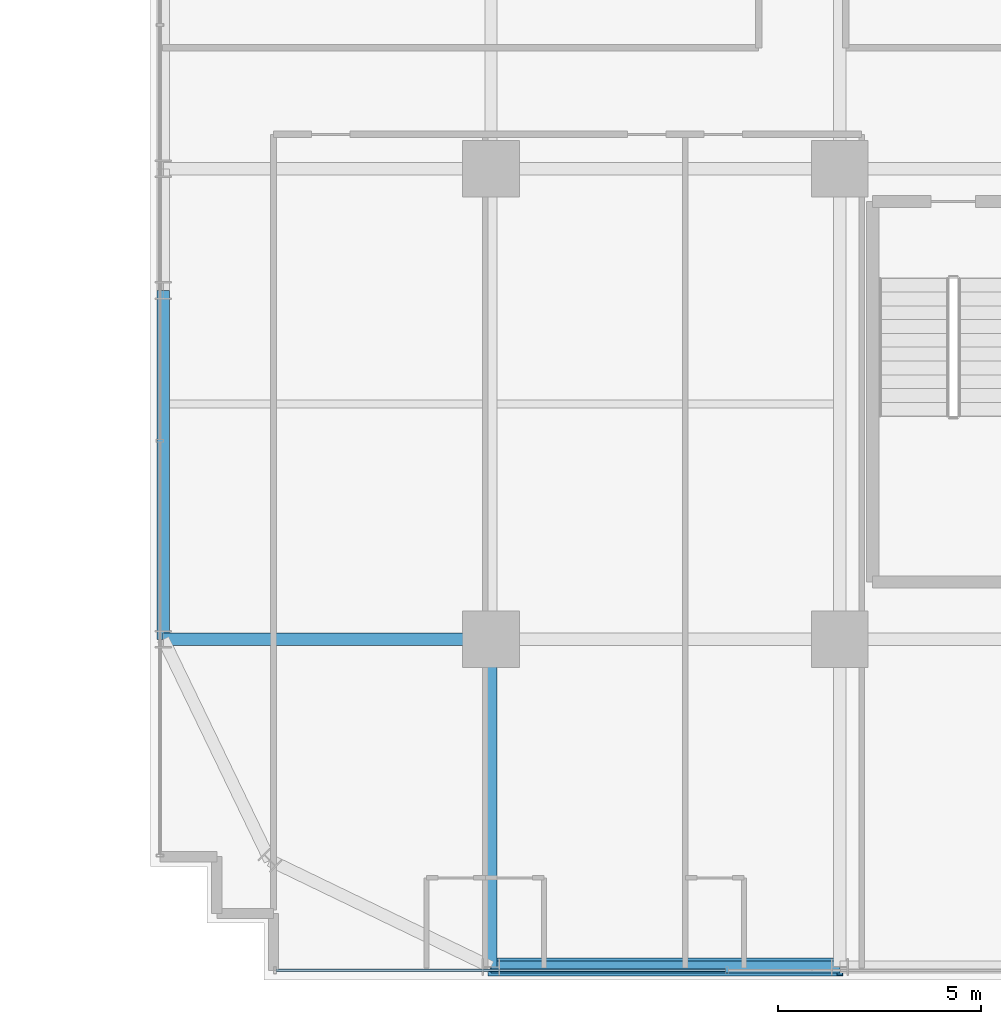
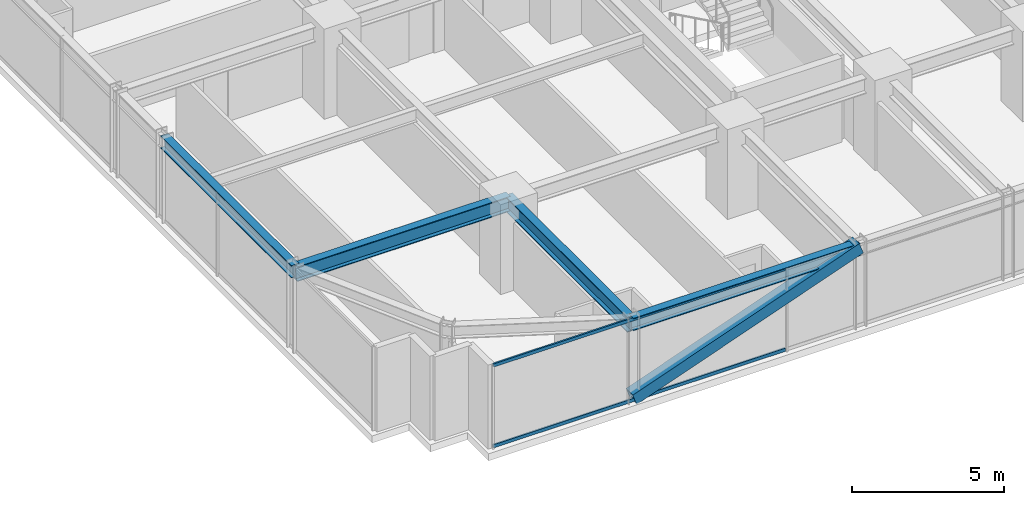
# One storey, part 4 of 36: 4 beams, 3 members, 1 element without a shape of its own.
"""IFC4 building model written with IfcOpenShell, lengths in metres."""

from ifc_helpers import new_model, si_unit, direction, frame, origin, origin_2d, place, context, subcontext, project, spatial, hollow_rectangle, i_section, extrude, source, transform, mapped, material, material_profile, profile_set, type_object, element, aggregate, save


model = new_model("IFC4")

# Units and contexts
model_context = context("Model", 3, precision=1e-05, world=origin(), true_north=direction((0.0, 1.0)))
body_context = subcontext(model_context, "Body", "Model", "MODEL_VIEW")
ifc_project = project(units=[si_unit("LENGTHUNIT", "METRE"), si_unit("AREAUNIT", "SQUARE_METRE"), si_unit("VOLUMEUNIT", "CUBIC_METRE"), si_unit("PLANEANGLEUNIT", "RADIAN"), si_unit("MASSUNIT", "GRAM", prefix="KILO")], contexts=[model_context])

# Site, building, storey
site_placement = place(None, origin())
site = spatial("IfcSite", under=ifc_project, at=site_placement, CompositionType="ELEMENT")
building_placement = place(site_placement, origin())
building = spatial("IfcBuilding", under=site, at=building_placement, Name="Nahalor Promenade Grand Hotel", CompositionType="ELEMENT")
storey_placement = place(building_placement, frame((0.0, 0.0, 76.199951171875)))
storey = spatial("IfcBuildingStorey", under=building, at=storey_placement, Name="L18", CompositionType="ELEMENT", Elevation=76.199951171875)

# Beams
ifc_material_1 = material(Name="Steel S355JR", Category="steel")
ifc_material_profile_1 = material_profile(ifc_material_1, i_section(OverallWidth=0.3, OverallDepth=0.5, WebThickness=0.0145, FlangeThickness=0.028, at=origin_2d()), Name="HEB 500")
ifc_profile_set_1 = profile_set([ifc_material_profile_1], Name="Steel S355JR")
beam_type_1 = type_object("IfcBeamType", Name="Beam-Spandrel-HEB500", PredefinedType="SPANDREL", material=ifc_profile_set_1)
shared_shape_1 = source(origin(), body_context, "Body", "SweptSolid", [
    extrude(i_section(OverallWidth=0.3, OverallDepth=0.5, WebThickness=0.0145, FlangeThickness=0.028, at=origin_2d()), origin(), (0.0, 0.0, 1.0), 8.60009765625),
])
for number, where, z_axis, x_axis, name in (
    (1, (-17.0, -25.080078125, 3.1201171875), (1.0, 0.0, 0.0), (0.0, 1.0, 0.0), "BM-L18-SP-S-0"),
    (2, (-25.080078125, -17.0, 3.1201171875), (0.0, 1.0, 0.0), (-1.0, 0.0, 0.0), "BM-L18-SP-W-0"),
):
    element("IfcBeam", number, at=place(storey_placement, frame(where, z_axis=z_axis, x_axis=x_axis)), inside=storey, type_object=beam_type_1, Name=name, PredefinedType="SPANDREL", context=body_context, shape_type="MappedRepresentation", body=[
        mapped(shared_shape_1, transform((0.0, 0.0, 0.0), scale=1.0)),
    ])
ifc_material_profile_2 = material_profile(ifc_material_1, i_section(OverallWidth=0.3, OverallDepth=0.6, WebThickness=0.0155, FlangeThickness=0.03, at=origin_2d()), Name="HEB 600")
ifc_profile_set_2 = profile_set([ifc_material_profile_2], Name="Steel S355JR")
beam_type_2 = type_object("IfcBeamType", Name="Beam-Girder-HEB600", PredefinedType="BEAM", material=ifc_profile_set_2)
shared_shape_2 = source(origin(), body_context, "Body", "SweptSolid", [
    extrude(i_section(OverallWidth=0.3, OverallDepth=0.6, WebThickness=0.0155, FlangeThickness=0.03, at=origin_2d()), origin(), (0.0, 0.0, 1.0), 8.080078125),
])
for number, where, z_axis, x_axis, name in (
    (3, (-25.080078125, -17.0, 3.070068359375), (1.0, 0.0, 0.0), (0.0, 1.0, 0.0), "BM-L18-GX-0-0"),
    (4, (-17.0, -25.080078125, 3.070068359375), (0.0, 1.0, 0.0), (-1.0, 0.0, 0.0), "BM-L18-GY-0-0"),
):
    element("IfcBeam", number, at=place(storey_placement, frame(where, z_axis=z_axis, x_axis=x_axis)), inside=storey, type_object=beam_type_2, Name=name, PredefinedType="BEAM", context=body_context, shape_type="MappedRepresentation", body=[
        mapped(shared_shape_2, transform((0.0, 0.0, 0.0), scale=1.0)),
    ])

# Member
ifc_material_2 = material(Name="Steel S355J2", Category="steel")
ifc_material_profile_3 = material_profile(ifc_material_2, hollow_rectangle(XDim=0.45, YDim=0.45, WallThickness=0.025, at=origin_2d()), Name="SHS 450x450x25")
ifc_profile_set_3 = profile_set([ifc_material_profile_3], Name="Steel S355J2")
member_type_1 = type_object("IfcMemberType", Name="Mem-ExoBrace-SHS450", PredefinedType="BRACE", material=ifc_profile_set_3)
shared_shape_3 = source(origin(), body_context, "Body", "SweptSolid", [
    extrude(hollow_rectangle(XDim=0.45, YDim=0.45, WallThickness=0.025, at=origin_2d()), origin(), (0.0, 0.0, 1.0), 9.131591796875),
])
member_1_placement = place(storey_placement, frame((-17.0, -25.080078125, 0.150146484375), z_axis=(0.941798757288, 0.0, 0.336177186571), x_axis=(0.0, 1.0, 0.0)))
element("IfcMember", 5, at=member_1_placement, inside=storey, type_object=member_type_1, Name="EXO-L18-S-0", PredefinedType="BRACE", context=body_context, shape_type="MappedRepresentation", body=[
    mapped(shared_shape_3, transform((0.0, 0.0, 0.0), scale=1.0)),
])

# Curtain wall, members
ifc_material_3 = material(Name="Anodised Bronze Aluminium EN AW-6063 T6", Category="aluminium")
curtain_wall_type = type_object("IfcCurtainWallType", Name="CW2 Typical Hotel Flush Bronze Unitised Curtain Wall", PredefinedType="USERDEFINED", material=ifc_material_3)
curtain_wall_placement = place(storey_placement, origin())
curtain_wall = element("IfcCurtainWall", 6, at=curtain_wall_placement, inside=storey, type_object=curtain_wall_type, Name="L18 Curtain Wall CW-L18-S-1", ObjectType="UNITISED_CURTAIN_WALL", PredefinedType="USERDEFINED")
ifc_material_profile_4 = material_profile(ifc_material_3, hollow_rectangle(XDim=0.065, YDim=0.13, WallThickness=0.004, at=origin_2d()), Name="CWT 65x130x4")
ifc_profile_set_4 = profile_set([ifc_material_profile_4], Name="Anodised Bronze Aluminium EN AW-6063 T6")
member_type_2 = type_object("IfcMemberType", Name="CWT2 Typical Bronze Transom 65x130", PredefinedType="USERDEFINED", material=ifc_profile_set_4)
shared_shape_4 = source(origin(), body_context, "Body", "SweptSolid", [
    extrude(hollow_rectangle(XDim=0.065, YDim=0.13, WallThickness=0.004, at=origin_2d()), origin(), (0.0, 0.0, 1.0), 11.08251953125),
])
member_2_placement = place(storey_placement, frame((-22.294921875, -25.159912109375, 0.06494140625), z_axis=(1.0, 0.0, 0.0), x_axis=(0.0, 1.0, 0.0)))
member_2 = element("IfcMember", 7, at=member_2_placement, type_object=member_type_2, Name="CW-L18-S-1 Transom 0-0", ObjectType="TRANSOM", PredefinedType="USERDEFINED", context=body_context, shape_type="MappedRepresentation", body=[
    mapped(shared_shape_4, transform((0.0, 0.0, 0.0), scale=1.0)),
])
member_3_placement = place(storey_placement, frame((-22.294921875, -25.159912109375, 3.304931640625), z_axis=(1.0, 0.0, 0.0), x_axis=(0.0, 1.0, 0.0)))
member_3 = element("IfcMember", 8, at=member_3_placement, type_object=member_type_2, Name="CW-L18-S-1 Transom 0-1", ObjectType="TRANSOM", PredefinedType="USERDEFINED", context=body_context, shape_type="MappedRepresentation", body=[
    mapped(shared_shape_4, transform((0.0, 0.0, 0.0), scale=1.0)),
])
aggregate(curtain_wall, [member_2, member_3])

save(model, "model.ifc")
